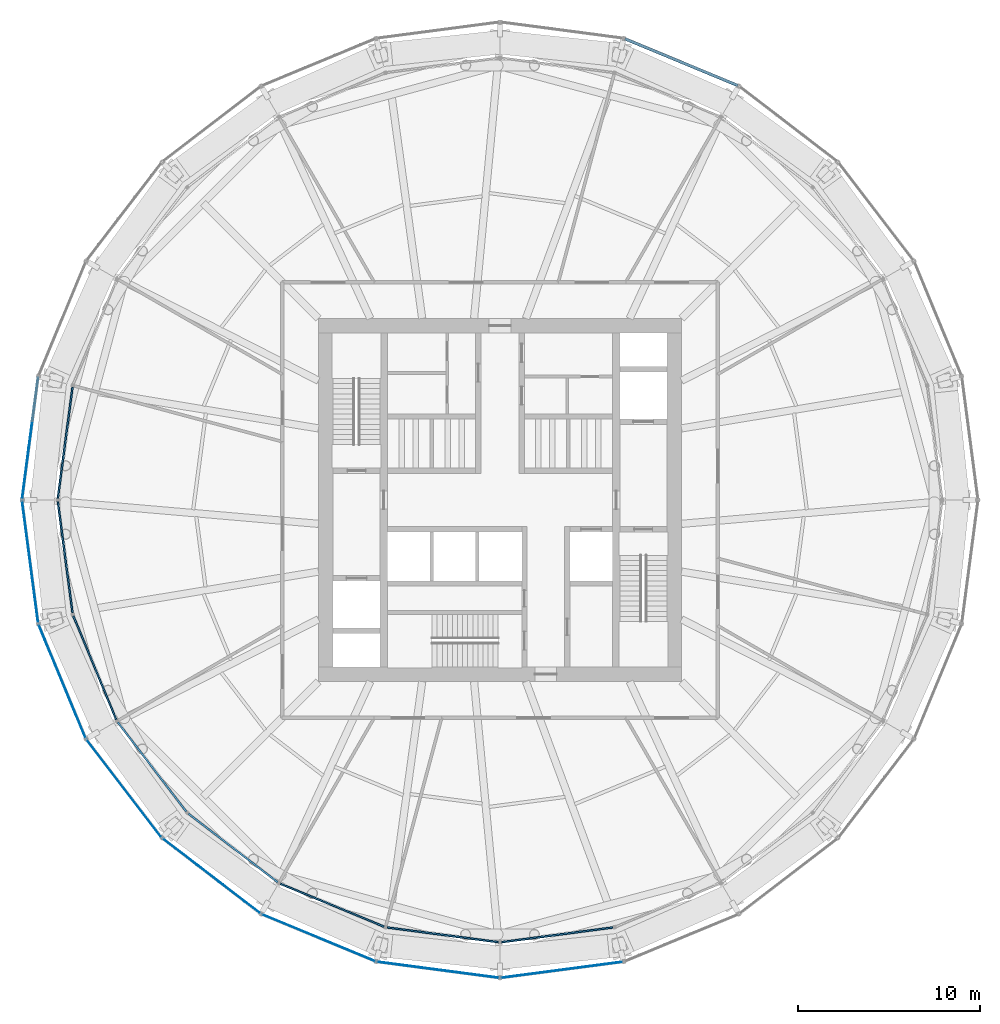
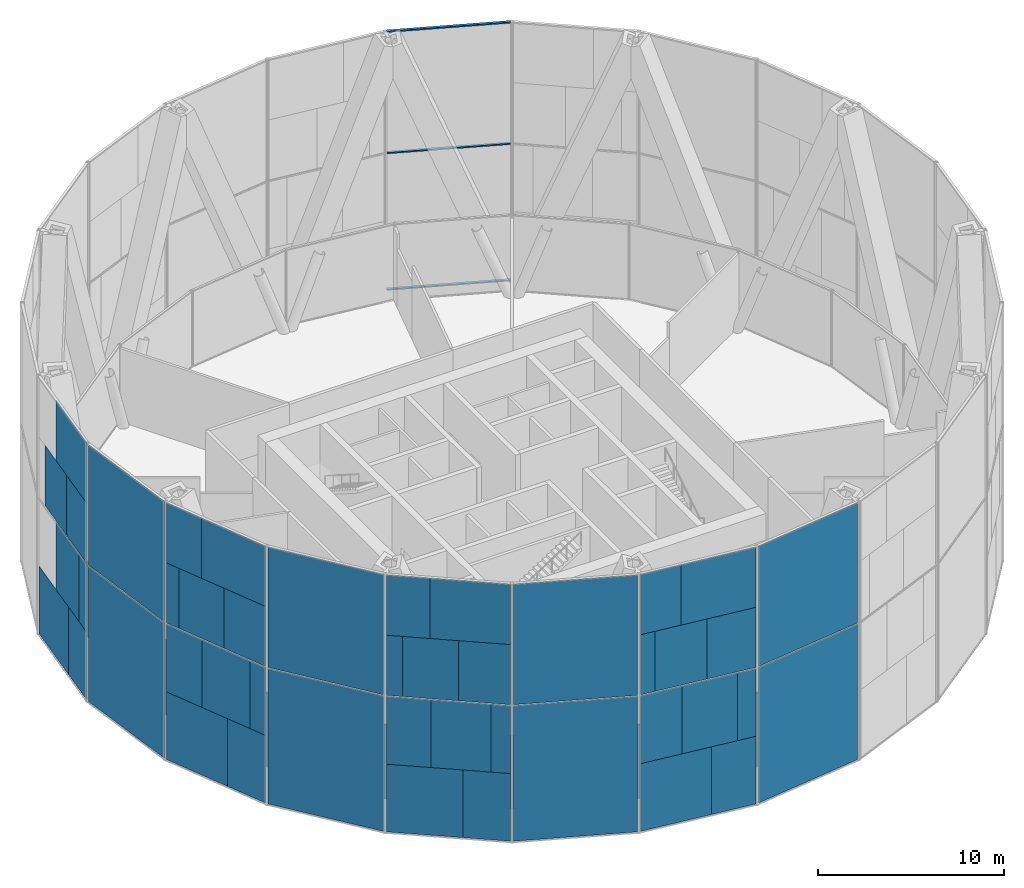
# One storey, part 9 of 16: 53 plates, 3 members, 17 elements without a shape of their own.
"""IFC4 building model written with IfcOpenShell, lengths in metres."""

import ifcopenshell
import ifcopenshell.guid

model = None  # the IFC model being written
_history = None  # IfcOwnerHistory: only IFC2X3 demands one
_inside = {}  # id of a spatial element -> (the spatial element, [elements in it])
_under = {}  # id of a project, library or spatial element -> (it, [spatial elements below it])
_declared = {}  # id of a project -> (the project, [libraries it declares])
_typed = {}  # id of a type object -> (the type object, [elements of that type])
_made_of = {}  # id of a material, layer set ... -> (it, [elements and type objects made of it])


def new_model(schema):
    """Start an empty IFC model of exactly this schema.

    Asked for "IFC4X3", IfcOpenShell would pick the latest addendum, in which some entities
    have other attributes; the version numbers below select the first issue.
    IFC2X3 requires an IfcOwnerHistory on every rooted entity: one is made here for all.
    """
    global model, _history
    if schema == "IFC4X3":
        model = ifcopenshell.file(schema_version=(4, 3, 0, 0))
    else:
        model = ifcopenshell.file(schema=schema)
    _inside.clear()
    _under.clear()
    _declared.clear()
    _typed.clear()
    _made_of.clear()
    _history = None
    if model.schema == "IFC2X3":
        org = make("IfcOrganization", Name="unknown")
        user = make(
            "IfcPersonAndOrganization",
            ThePerson=make("IfcPerson", FamilyName="unknown"),
            TheOrganization=org,
        )
        app = make(
            "IfcApplication",
            ApplicationDeveloper=org,
            Version="unknown",
            ApplicationFullName="unknown",
            ApplicationIdentifier="unknown",
        )
        _history = make(
            "IfcOwnerHistory",
            OwningUser=user,
            OwningApplication=app,
            ChangeAction="ADDED",
            CreationDate=0,
        )
    return model


def make(cls, **values):
    """One entity of the class cls with the attributes given. An attribute that is None is left unset."""
    return model.create_entity(
        cls, **{name: value for name, value in values.items() if value is not None}
    )


def rooted(cls, **values):
    """An entity with a GlobalId (a new one), such as an element, a storey or a relation."""
    return make(cls, GlobalId=ifcopenshell.guid.new(), OwnerHistory=_history, **values)


def si_unit(unit_type, name, prefix=None):
    """IfcSIUnit, for example si_unit("LENGTHUNIT", "METRE", prefix="MILLI")."""
    return make("IfcSIUnit", UnitType=unit_type, Prefix=prefix, Name=name)


def assignment(units):
    """IfcUnitAssignment: the units of a project."""
    return None if units is None else make("IfcUnitAssignment", Units=units)


def point(xyz):
    """IfcCartesianPoint."""
    return None if xyz is None else make("IfcCartesianPoint", Coordinates=xyz)


def direction(xyz):
    """IfcDirection."""
    return None if xyz is None else make("IfcDirection", DirectionRatios=xyz)


def frame(location, z_axis=None, x_axis=None):
    """IfcAxis2Placement3D, a coordinate frame: its origin and axes. An axis left out is left unset."""
    return make(
        "IfcAxis2Placement3D",
        Location=point(location),
        Axis=direction(z_axis),
        RefDirection=direction(x_axis),
    )


def frame_2d(location, x_axis=None):
    """IfcAxis2Placement2D, a coordinate frame in the plane: its origin and x axis."""
    return make(
        "IfcAxis2Placement2D", Location=point(location), RefDirection=direction(x_axis)
    )


def origin():
    """The frame at (0, 0, 0) with its axes left unset."""
    return frame((0.0, 0.0, 0.0))


def origin_2d():
    """The frame at (0, 0) in the plane with its x axis left unset."""
    return frame_2d((0.0, 0.0))


def place(relative_to, where):
    """IfcLocalPlacement: puts the frame where relative to a parent placement (None: the world)."""
    return make(
        "IfcLocalPlacement", PlacementRelTo=relative_to, RelativePlacement=where
    )


def context(
    kind, dimensions, precision=None, world=None, true_north=None, identifier=None
):
    """IfcGeometricRepresentationContext, for example the 3D "Model" context."""
    return make(
        "IfcGeometricRepresentationContext",
        ContextIdentifier=identifier,
        ContextType=kind,
        CoordinateSpaceDimension=dimensions,
        Precision=precision,
        WorldCoordinateSystem=world,
        TrueNorth=true_north,
    )


def subcontext(parent, identifier, kind, view, scale=None):
    """IfcGeometricRepresentationSubContext, for example "Body" below "Model"."""
    return make(
        "IfcGeometricRepresentationSubContext",
        ContextIdentifier=identifier,
        ContextType=kind,
        ParentContext=parent,
        TargetScale=scale,
        TargetView=view,
    )


def project(units=None, contexts=None):
    """IfcProject with its units and contexts."""
    return rooted(
        "IfcProject",
        Name="project",
        RepresentationContexts=contexts,
        UnitsInContext=assignment(units),
    )


def spatial(cls, under=None, at=None, **own):
    """A site, building, storey or space (cls), placed at a placement, below another one or the project."""
    s = rooted(cls, ObjectPlacement=at, **own)
    if under is not None:
        _under.setdefault(under.id(), (under, []))[1].append(s)
    return s


def profile(cls, at=None, kind="AREA", **sizes):
    """A parametric profile (cls). Its sizes go by their IFC names, for example OverallWidth=200.0."""
    return make(cls, ProfileType=kind, Position=at, **sizes)


def rectangle(**sizes):
    """IfcRectangleProfileDef."""
    return profile("IfcRectangleProfileDef", **sizes)


def extrude(swept, where, along, depth):
    """IfcExtrudedAreaSolid: the profile swept, set in the frame where, extruded along a direction by depth."""
    return make(
        "IfcExtrudedAreaSolid",
        SweptArea=swept,
        Position=where,
        ExtrudedDirection=direction(along),
        Depth=depth,
    )


def shape(context_of_items, identifier, shape_type, items):
    """IfcShapeRepresentation: the items that make up one representation, for example the "Body"."""
    return make(
        "IfcShapeRepresentation",
        ContextOfItems=context_of_items,
        RepresentationIdentifier=identifier,
        RepresentationType=shape_type,
        Items=items,
    )


def material(Name=None, Category=None):
    """IfcMaterial."""
    return make("IfcMaterial", Name=Name, Category=Category)


def layer(
    of_material, thickness, ventilated=None, Name=None, Category=None, Priority=None
):
    """IfcMaterialLayer: one layer of a wall or slab, of a material (None: an air gap)."""
    return make(
        "IfcMaterialLayer",
        Material=of_material,
        LayerThickness=thickness,
        IsVentilated=ventilated,
        Name=Name,
        Category=Category,
        Priority=Priority,
    )


def layer_set(layers, Name=None):
    """IfcMaterialLayerSet."""
    return make("IfcMaterialLayerSet", MaterialLayers=layers, LayerSetName=Name)


def material_profile(
    of_material, cross_section, Name=None, Category=None, Priority=None
):
    """IfcMaterialProfile: a cross section and its material."""
    return make(
        "IfcMaterialProfile",
        Name=Name,
        Material=of_material,
        Profile=cross_section,
        Priority=Priority,
        Category=Category,
    )


def profile_set(profiles, Name=None, composite=None):
    """IfcMaterialProfileSet."""
    return make(
        "IfcMaterialProfileSet",
        Name=Name,
        MaterialProfiles=profiles,
        CompositeProfile=composite,
    )


def made_of(thing, what):
    """Note that an element or type object is made of a material, layer set ...; save() writes the relation."""
    if what is not None:
        _made_of.setdefault(what.id(), (what, []))[1].append(thing)
    return thing


def type_object(cls, material=None, **own):
    """A type object (cls), such as IfcWallType, which elements share."""
    return made_of(rooted(cls, **own), material)


def element(
    cls,
    number,
    at=None,
    inside=None,
    cuts=None,
    type_object=None,
    material=None,
    context=None,
    identifier="Body",
    shape_type=None,
    held_by="IfcProductDefinitionShape",
    body=None,
    shapes=None,
    **own,
):
    """One element of the class cls, such as IfcWall. Its Tag is "e" and its number.

    at: its placement. inside: the storey or other place that contains it. cuts: it is an
    opening in that element (IfcRelVoidsElement). A single representation is given by context,
    identifier, shape_type and body (its items); several are given by shapes. held_by: the class
    of the entity that holds the representations. save() writes the other relations.
    """
    e = rooted(cls, Tag="e%d" % number, ObjectPlacement=at, **own)
    if body is not None:
        shapes = [shape(context, identifier, shape_type, body)]
    if shapes is not None:
        e.Representation = make(held_by, Representations=shapes)
    if inside is not None:
        _inside.setdefault(inside.id(), (inside, []))[1].append(e)
    if cuts is not None:
        rooted(
            "IfcRelVoidsElement", RelatingBuildingElement=cuts, RelatedOpeningElement=e
        )
    if type_object is not None:
        _typed.setdefault(type_object.id(), (type_object, []))[1].append(e)
    return made_of(e, material)


def aggregate(whole, parts):
    """IfcRelAggregates: a whole, such as a stair, and the parts it consists of."""
    return rooted("IfcRelAggregates", RelatingObject=whole, RelatedObjects=parts)


def save(model, path):
    """Write the relations noted so far, then the file.

    IfcRelAggregates (storeys below a building ...), IfcRelContainedInSpatialStructure (elements
    in a storey), IfcRelDefinesByType, IfcRelAssociatesMaterial and IfcRelDeclares: one each for
    every whole, place, type object, material and project.
    """
    for whole, parts in _under.values():
        aggregate(whole, parts)
    for where, things in _inside.values():
        rooted(
            "IfcRelContainedInSpatialStructure",
            RelatedElements=things,
            RelatingStructure=where,
        )
    for kind, things in _typed.values():
        rooted("IfcRelDefinesByType", RelatedObjects=things, RelatingType=kind)
    for what, things in _made_of.values():
        rooted("IfcRelAssociatesMaterial", RelatedObjects=things, RelatingMaterial=what)
    for by, libraries in _declared.values():
        rooted("IfcRelDeclares", RelatingContext=by, RelatedDefinitions=libraries)
    model.write(path)


model = new_model("IFC4")

# Units and contexts
model_context = context("Model", 3, precision=1e-05, world=origin(), true_north=direction((0.0, 1.0)))
body_context = subcontext(model_context, "Body", "Model", "MODEL_VIEW")
ifc_project = project(units=[si_unit("LENGTHUNIT", "METRE"), si_unit("AREAUNIT", "SQUARE_METRE"), si_unit("VOLUMEUNIT", "CUBIC_METRE"), si_unit("PLANEANGLEUNIT", "RADIAN"), si_unit("MASSUNIT", "GRAM", prefix="KILO")], contexts=[model_context])

# Site, building, storey
site_placement = place(None, origin())
site = spatial("IfcSite", under=ifc_project, at=site_placement, CompositionType="ELEMENT")
building_placement = place(site_placement, origin())
building = spatial("IfcBuilding", under=site, at=building_placement, Name="Golbaran Civic Tower", CompositionType="ELEMENT")
storey_placement = place(building_placement, frame((0.0, 0.0, 85.0)))
storey = spatial("IfcBuildingStorey", under=building, at=storey_placement, Name="L20", CompositionType="ELEMENT", Elevation=85.0)

# Curtain wall, members
ifc_material_1 = material(Name="Aluminium and glass", Category="aluminium")
curtain_wall_type_1 = type_object("IfcCurtainWallType", Name="OUTER SKIN TERRACOTTA SCREEN", PredefinedType="NOTDEFINED", material=ifc_material_1)
curtain_wall_1_placement = place(storey_placement, origin())
curtain_wall_1 = element("IfcCurtainWall", 1, at=curtain_wall_1_placement, inside=storey, type_object=curtain_wall_type_1, Name="Outer skin L20 facet 5 CW3", ObjectType="OUTER SKIN", PredefinedType="USERDEFINED")
ifc_material_2 = material(Name="Aluminium", Category="aluminium")
ifc_material_profile = material_profile(ifc_material_2, rectangle(XDim=0.159912109375, YDim=0.080078125, at=origin_2d()), Name="OUTER SKIN TERRACOTTA SCREEN TRANSOM")
ifc_profile_set = profile_set([ifc_material_profile], Name="Aluminium")
member_type = type_object("IfcMemberType", Name="OUTER SKIN TERRACOTTA SCREEN TRANSOM", PredefinedType="USERDEFINED", material=ifc_profile_set)
member_1_placement = place(storey_placement, frame((13.091552734375, 22.833984375, -0.669921875), z_axis=(-0.923886086395, 0.382667609507, 0.0), x_axis=(-0.382667609507, -0.923886086395, 0.0)))
member_1 = element("IfcMember", 2, at=member_1_placement, type_object=member_type, Name="CW3 transom 1.1", ObjectType="TRANSOM", PredefinedType="USERDEFINED", context=body_context, shape_type="SweptSolid", body=[
    extrude(rectangle(XDim=0.159912109375, YDim=0.080078125, at=origin_2d()), origin(), (0.0, 0.0, 1.0), 6.713623046875),
])
member_2_placement = place(storey_placement, frame((13.091552734375, 22.833984375, 8.2900390625), z_axis=(-0.923886086395, 0.382667609507, 0.0), x_axis=(-0.382667609507, -0.923886086395, 0.0)))
member_2 = element("IfcMember", 3, at=member_2_placement, type_object=member_type, Name="CW3 transom 1.2", ObjectType="TRANSOM", PredefinedType="USERDEFINED", context=body_context, shape_type="SweptSolid", body=[
    extrude(rectangle(XDim=0.159912109375, YDim=0.080078125, at=origin_2d()), origin(), (0.0, 0.0, 1.0), 6.713623046875),
])
member_3_placement = place(storey_placement, frame((13.091552734375, 22.833984375, 16.25), z_axis=(-0.923886086395, 0.382667609507, 0.0), x_axis=(-0.382667609507, -0.923886086395, 0.0)))
member_3 = element("IfcMember", 4, at=member_3_placement, type_object=member_type, Name="CW3 transom 1.3", ObjectType="TRANSOM", PredefinedType="USERDEFINED", context=body_context, shape_type="SweptSolid", body=[
    extrude(rectangle(XDim=0.159912109375, YDim=0.080078125, at=origin_2d()), origin(), (0.0, 0.0, 1.0), 6.713623046875),
])
aggregate(curtain_wall_1, [member_1, member_2, member_3])

# Curtain wall, plates
curtain_wall_2_placement = place(storey_placement, origin())
curtain_wall_2 = element("IfcCurtainWall", 5, at=curtain_wall_2_placement, inside=storey, type_object=curtain_wall_type_1, Name="Outer skin L20 facet 12 CW3", ObjectType="OUTER SKIN", PredefinedType="USERDEFINED")
ifc_material_3 = material(Name="Clear laminated glass", Category="glass")
ifc_layer_1 = layer(ifc_material_3, 0.0400390625, Name="Clear laminated glass")
ifc_layer_set_1 = layer_set([ifc_layer_1], Name="Clear laminated glass")
plate_type_1 = type_object("IfcPlateType", Name="OUTER SKIN CLEAR GLASS PANEL", PredefinedType="CURTAIN_PANEL", material=ifc_layer_set_1)
plate_1_placement = place(storey_placement, frame((-25.714599609375, 4.681884765625, -0.6298828125), z_axis=(0.0, 0.0, 1.0), x_axis=(-0.13052619222, -0.991444861374, 0.0)))
plate_1 = element("IfcPlate", 6, at=plate_1_placement, type_object=plate_type_1, Name="CW3 panel 1.1 part 1", PredefinedType="CURTAIN_PANEL", context=body_context, shape_type="SweptSolid", body=[
    extrude(rectangle(XDim=4.14306640625, YDim=0.0400390625, at=origin_2d()), origin(), (0.0, 0.0, 1.0), 4.43994140625),
])
plate_2_placement = place(storey_placement, frame((-26.2509765625, 0.608642578125, 3.81005859375), z_axis=(0.0, 0.0, 1.0), x_axis=(-0.13052619222, -0.991444861374, 0.0)))
plate_2 = element("IfcPlate", 7, at=plate_2_placement, type_object=plate_type_1, Name="CW3 panel 1.1 part 5", PredefinedType="CURTAIN_PANEL", context=body_context, shape_type="SweptSolid", body=[
    extrude(rectangle(XDim=1.06787109375, YDim=0.0400390625, at=origin_2d()), origin(), (0.0, 0.0, 1.0), 4.43994140625),
])
plate_3_placement = place(storey_placement, frame((-26.13623046875, 1.47900390625, 8.330078125), z_axis=(0.0, 0.0, 1.0), x_axis=(-0.13052619222, -0.991444861374, 0.0)))
plate_3 = element("IfcPlate", 8, at=plate_3_placement, type_object=plate_type_1, Name="CW3 panel 1.2 part 3", PredefinedType="CURTAIN_PANEL", context=body_context, shape_type="SweptSolid", body=[
    extrude(rectangle(XDim=2.82373046875, YDim=0.0400390625, at=origin_2d()), origin(), (0.0, 0.0, 1.0), 3.93994140625),
])
plate_4_placement = place(storey_placement, frame((-26.036376953125, 2.237548828125, 12.27001953125), z_axis=(0.0, 0.0, 1.0), x_axis=(-0.13052619222, -0.991444861374, 0.0)))
plate_4 = element("IfcPlate", 9, at=plate_4_placement, type_object=plate_type_1, Name="CW3 panel 1.2 part 5", PredefinedType="CURTAIN_PANEL", context=body_context, shape_type="SweptSolid", body=[
    extrude(rectangle(XDim=4.353759765625, YDim=0.0400390625, at=origin_2d()), origin(), (0.0, 0.0, 1.0), 3.93994140625),
])

curtain_wall_3_placement = place(storey_placement, origin())
curtain_wall_3 = element("IfcCurtainWall", 10, at=curtain_wall_3_placement, inside=storey, type_object=curtain_wall_type_1, Name="Outer skin L20 facet 14 CW3", ObjectType="OUTER SKIN", PredefinedType="USERDEFINED")
plate_5_placement = place(storey_placement, frame((-24.6103515625, -8.802734375, -0.6298828125), z_axis=(0.0, 0.0, 1.0), x_axis=(0.382683432397, -0.923879532498, 0.0)))
plate_5 = element("IfcPlate", 11, at=plate_5_placement, type_object=plate_type_1, Name="CW3 panel 1.1 part 1", PredefinedType="CURTAIN_PANEL", context=body_context, shape_type="SweptSolid", body=[
    extrude(rectangle(XDim=4.14306640625, YDim=0.0400390625, at=origin_2d()), origin(), (0.0, 0.0, 1.0), 4.43994140625),
])
plate_6_placement = place(storey_placement, frame((-24.940673828125, -8.00537109375, 3.81005859375), z_axis=(0.0, 0.0, 1.0), x_axis=(0.382683432397, -0.923879532498, 0.0)))
plate_6 = element("IfcPlate", 12, at=plate_6_placement, type_object=plate_type_1, Name="CW3 panel 1.1 part 3", PredefinedType="CURTAIN_PANEL", context=body_context, shape_type="SweptSolid", body=[
    extrude(rectangle(XDim=2.4169921875, YDim=0.0400390625, at=origin_2d()), origin(), (0.0, 0.0, 1.0), 4.43994140625),
])
plate_7_placement = place(storey_placement, frame((-23.038330078125, -12.598388671875, 3.81005859375), z_axis=(0.0, 0.0, 1.0), x_axis=(0.382683432397, -0.923879532498, 0.0)))
plate_7 = element("IfcPlate", 13, at=plate_7_placement, type_object=plate_type_1, Name="CW3 panel 1.1 part 5", PredefinedType="CURTAIN_PANEL", context=body_context, shape_type="SweptSolid", body=[
    extrude(rectangle(XDim=1.06787109375, YDim=0.0400390625, at=origin_2d()), origin(), (0.0, 0.0, 1.0), 4.43994140625),
])
plate_8_placement = place(storey_placement, frame((-25.23974609375, -7.283447265625, 8.330078125), z_axis=(0.0, 0.0, 1.0), x_axis=(0.382683432397, -0.923879532498, 0.0)))
plate_8 = element("IfcPlate", 14, at=plate_8_placement, type_object=plate_type_1, Name="CW3 panel 1.2 part 1", PredefinedType="CURTAIN_PANEL", context=body_context, shape_type="SweptSolid", body=[
    extrude(rectangle(XDim=0.85400390625, YDim=0.0400390625, at=origin_2d()), origin(), (0.0, 0.0, 1.0), 3.93994140625),
])
plate_9_placement = place(storey_placement, frame((-23.374267578125, -11.787109375, 8.330078125), z_axis=(0.0, 0.0, 1.0), x_axis=(0.382683432397, -0.923879532498, 0.0)))
plate_9 = element("IfcPlate", 15, at=plate_9_placement, type_object=plate_type_1, Name="CW3 panel 1.2 part 3", PredefinedType="CURTAIN_PANEL", context=body_context, shape_type="SweptSolid", body=[
    extrude(rectangle(XDim=2.82373046875, YDim=0.0400390625, at=origin_2d()), origin(), (0.0, 0.0, 1.0), 3.93994140625),
])
plate_10_placement = place(storey_placement, frame((-23.6669921875, -11.080322265625, 12.27001953125), z_axis=(0.0, 0.0, 1.0), x_axis=(0.382683432397, -0.923879532498, 0.0)))
plate_10 = element("IfcPlate", 16, at=plate_10_placement, type_object=plate_type_1, Name="CW3 panel 1.2 part 5", PredefinedType="CURTAIN_PANEL", context=body_context, shape_type="SweptSolid", body=[
    extrude(rectangle(XDim=4.353759765625, YDim=0.0400390625, at=origin_2d()), origin(), (0.0, 0.0, 1.0), 3.93994140625),
])

curtain_wall_4_placement = place(storey_placement, origin())
curtain_wall_4 = element("IfcCurtainWall", 17, at=curtain_wall_4_placement, inside=storey, type_object=curtain_wall_type_1, Name="Outer skin L20 facet 16 CW3", ObjectType="OUTER SKIN", PredefinedType="USERDEFINED")
plate_11_placement = place(storey_placement, frame((-16.911865234375, -19.928466796875, -0.6298828125), z_axis=(0.0, 0.0, 1.0), x_axis=(0.793353340238, -0.608761429078, 0.0)))
plate_11 = element("IfcPlate", 18, at=plate_11_placement, type_object=plate_type_1, Name="CW3 panel 1.1 part 1", PredefinedType="CURTAIN_PANEL", context=body_context, shape_type="SweptSolid", body=[
    extrude(rectangle(XDim=4.14306640625, YDim=0.0400390625, at=origin_2d()), origin(), (0.0, 0.0, 1.0), 4.43994140625),
])
plate_12_placement = place(storey_placement, frame((-17.5966796875, -19.4033203125, 3.81005859375), z_axis=(0.0, 0.0, 1.0), x_axis=(0.793353340238, -0.608761429078, 0.0)))
plate_12 = element("IfcPlate", 19, at=plate_12_placement, type_object=plate_type_1, Name="CW3 panel 1.1 part 3", PredefinedType="CURTAIN_PANEL", context=body_context, shape_type="SweptSolid", body=[
    extrude(rectangle(XDim=2.4169921875, YDim=0.0400390625, at=origin_2d()), origin(), (0.0, 0.0, 1.0), 4.43994140625),
])
plate_13_placement = place(storey_placement, frame((-13.652587890625, -22.4296875, 3.81005859375), z_axis=(0.0, 0.0, 1.0), x_axis=(0.793353340238, -0.608761429078, 0.0)))
plate_13 = element("IfcPlate", 20, at=plate_13_placement, type_object=plate_type_1, Name="CW3 panel 1.1 part 5", PredefinedType="CURTAIN_PANEL", context=body_context, shape_type="SweptSolid", body=[
    extrude(rectangle(XDim=1.06787109375, YDim=0.0400390625, at=origin_2d()), origin(), (0.0, 0.0, 1.0), 4.43994140625),
])
plate_14_placement = place(storey_placement, frame((-18.216552734375, -18.927490234375, 8.330078125), z_axis=(0.0, 0.0, 1.0), x_axis=(0.793353340238, -0.608761429078, 0.0)))
plate_14 = element("IfcPlate", 21, at=plate_14_placement, type_object=plate_type_1, Name="CW3 panel 1.2 part 1", PredefinedType="CURTAIN_PANEL", context=body_context, shape_type="SweptSolid", body=[
    extrude(rectangle(XDim=0.85400390625, YDim=0.0400390625, at=origin_2d()), origin(), (0.0, 0.0, 1.0), 3.93994140625),
])
plate_15_placement = place(storey_placement, frame((-14.34912109375, -21.89501953125, 8.330078125), z_axis=(0.0, 0.0, 1.0), x_axis=(0.793353340238, -0.608761429078, 0.0)))
plate_15 = element("IfcPlate", 22, at=plate_15_placement, type_object=plate_type_1, Name="CW3 panel 1.2 part 3", PredefinedType="CURTAIN_PANEL", context=body_context, shape_type="SweptSolid", body=[
    extrude(rectangle(XDim=2.82373046875, YDim=0.0400390625, at=origin_2d()), origin(), (0.0, 0.0, 1.0), 3.93994140625),
])
plate_16_placement = place(storey_placement, frame((-14.9560546875, -21.429443359375, 12.27001953125), z_axis=(0.0, 0.0, 1.0), x_axis=(0.793353340238, -0.608761429078, 0.0)))
plate_16 = element("IfcPlate", 23, at=plate_16_placement, type_object=plate_type_1, Name="CW3 panel 1.2 part 5", PredefinedType="CURTAIN_PANEL", context=body_context, shape_type="SweptSolid", body=[
    extrude(rectangle(XDim=4.353759765625, YDim=0.0400390625, at=origin_2d()), origin(), (0.0, 0.0, 1.0), 3.93994140625),
])

curtain_wall_5_placement = place(storey_placement, origin())
curtain_wall_5 = element("IfcCurtainWall", 24, at=curtain_wall_5_placement, inside=storey, type_object=curtain_wall_type_1, Name="Outer skin L20 facet 18 CW3", ObjectType="OUTER SKIN", PredefinedType="USERDEFINED")
plate_17_placement = place(storey_placement, frame((-4.681884765625, -25.714599609375, -0.6298828125), z_axis=(0.0, 0.0, 1.0), x_axis=(0.991444861374, -0.13052619222, 0.0)))
plate_17 = element("IfcPlate", 25, at=plate_17_placement, type_object=plate_type_1, Name="CW3 panel 1.1 part 1", PredefinedType="CURTAIN_PANEL", context=body_context, shape_type="SweptSolid", body=[
    extrude(rectangle(XDim=4.14306640625, YDim=0.0400390625, at=origin_2d()), origin(), (0.0, 0.0, 1.0), 4.43994140625),
])
plate_18_placement = place(storey_placement, frame((-5.53759765625, -25.60205078125, 3.81005859375), z_axis=(0.0, 0.0, 1.0), x_axis=(0.991444861374, -0.13052619222, 0.0)))
plate_18 = element("IfcPlate", 26, at=plate_18_placement, type_object=plate_type_1, Name="CW3 panel 1.1 part 3", PredefinedType="CURTAIN_PANEL", context=body_context, shape_type="SweptSolid", body=[
    extrude(rectangle(XDim=2.4169921875, YDim=0.0400390625, at=origin_2d()), origin(), (0.0, 0.0, 1.0), 4.43994140625),
])
plate_19_placement = place(storey_placement, frame((-0.608642578125, -26.2509765625, 3.81005859375), z_axis=(0.0, 0.0, 1.0), x_axis=(0.991444861374, -0.13052619222, 0.0)))
plate_19 = element("IfcPlate", 27, at=plate_19_placement, type_object=plate_type_1, Name="CW3 panel 1.1 part 5", PredefinedType="CURTAIN_PANEL", context=body_context, shape_type="SweptSolid", body=[
    extrude(rectangle(XDim=1.06787109375, YDim=0.0400390625, at=origin_2d()), origin(), (0.0, 0.0, 1.0), 4.43994140625),
])
plate_20_placement = place(storey_placement, frame((-6.312255859375, -25.5, 8.330078125), z_axis=(0.0, 0.0, 1.0), x_axis=(0.991444861374, -0.13052619222, 0.0)))
plate_20 = element("IfcPlate", 28, at=plate_20_placement, type_object=plate_type_1, Name="CW3 panel 1.2 part 1", PredefinedType="CURTAIN_PANEL", context=body_context, shape_type="SweptSolid", body=[
    extrude(rectangle(XDim=0.85400390625, YDim=0.0400390625, at=origin_2d()), origin(), (0.0, 0.0, 1.0), 3.93994140625),
])
plate_21_placement = place(storey_placement, frame((-1.47900390625, -26.13623046875, 8.330078125), z_axis=(0.0, 0.0, 1.0), x_axis=(0.991444861374, -0.13052619222, 0.0)))
plate_21 = element("IfcPlate", 29, at=plate_21_placement, type_object=plate_type_1, Name="CW3 panel 1.2 part 3", PredefinedType="CURTAIN_PANEL", context=body_context, shape_type="SweptSolid", body=[
    extrude(rectangle(XDim=2.82373046875, YDim=0.0400390625, at=origin_2d()), origin(), (0.0, 0.0, 1.0), 3.93994140625),
])
plate_22_placement = place(storey_placement, frame((-2.237548828125, -26.036376953125, 12.27001953125), z_axis=(0.0, 0.0, 1.0), x_axis=(0.991444861374, -0.13052619222, 0.0)))
plate_22 = element("IfcPlate", 30, at=plate_22_placement, type_object=plate_type_1, Name="CW3 panel 1.2 part 5", PredefinedType="CURTAIN_PANEL", context=body_context, shape_type="SweptSolid", body=[
    extrude(rectangle(XDim=4.353759765625, YDim=0.0400390625, at=origin_2d()), origin(), (0.0, 0.0, 1.0), 3.93994140625),
])

# Plate
ifc_material_4 = material(Name="Terracotta baguette screen", Category="masonry")
ifc_layer_2 = layer(ifc_material_4, 0.0400390625, Name="Terracotta baguette screen")
ifc_layer_set_2 = layer_set([ifc_layer_2], Name="Terracotta baguette screen")
plate_type_2 = type_object("IfcPlateType", Name="OUTER SKIN TERRACOTTA INFILL PANEL", PredefinedType="CURTAIN_PANEL", material=ifc_layer_set_2)
plate_23_placement = place(storey_placement, frame((-26.15283203125, 1.353759765625, -0.6298828125), z_axis=(0.0, 0.0, 1.0), x_axis=(-0.13052619222, -0.991444861374, 0.0)))
plate_23 = element("IfcPlate", 31, at=plate_23_placement, type_object=plate_type_2, Name="CW3 infill panel 1.1 part 2", PredefinedType="CURTAIN_PANEL", context=body_context, shape_type="SweptSolid", body=[
    extrude(rectangle(XDim=2.57080078125, YDim=0.0400390625, at=origin_2d()), origin(), (0.0, 0.0, 1.0), 4.43994140625),
])

plate_24_placement = place(storey_placement, frame((-25.970458984375, 2.738525390625, 3.81005859375), z_axis=(0.0, 0.0, 1.0), x_axis=(-0.13052619222, -0.991444861374, 0.0)))
plate_24 = element("IfcPlate", 32, at=plate_24_placement, type_object=plate_type_2, Name="CW3 infill panel 1.1 part 4", PredefinedType="CURTAIN_PANEL", context=body_context, shape_type="SweptSolid", body=[
    extrude(rectangle(XDim=3.22900390625, YDim=0.0400390625, at=origin_2d()), origin(), (0.0, 0.0, 1.0), 4.43994140625),
])

plate_25_placement = place(storey_placement, frame((-25.75390625, 4.384033203125, 8.330078125), z_axis=(0.0, 0.0, 1.0), x_axis=(-0.13052619222, -0.991444861374, 0.0)))
plate_25 = element("IfcPlate", 33, at=plate_25_placement, type_object=plate_type_2, Name="CW3 infill panel 1.2 part 2", PredefinedType="CURTAIN_PANEL", context=body_context, shape_type="SweptSolid", body=[
    extrude(rectangle(XDim=3.035888671875, YDim=0.0400390625, at=origin_2d()), origin(), (0.0, 0.0, 1.0), 3.93994140625),
])

aggregate(curtain_wall_2, [plate_1, plate_23, plate_24, plate_2, plate_25, plate_3, plate_4])

plate_26_placement = place(storey_placement, frame((-23.325927734375, -11.904052734375, -0.6298828125), z_axis=(0.0, 0.0, 1.0), x_axis=(0.382683432397, -0.923879532498, 0.0)))
plate_26 = element("IfcPlate", 34, at=plate_26_placement, type_object=plate_type_2, Name="CW3 infill panel 1.1 part 2", PredefinedType="CURTAIN_PANEL", context=body_context, shape_type="SweptSolid", body=[
    extrude(rectangle(XDim=2.57080078125, YDim=0.0400390625, at=origin_2d()), origin(), (0.0, 0.0, 1.0), 4.43994140625),
])

plate_27_placement = place(storey_placement, frame((-23.8603515625, -10.613525390625, 3.81005859375), z_axis=(0.0, 0.0, 1.0), x_axis=(0.382683432397, -0.923879532498, 0.0)))
plate_27 = element("IfcPlate", 35, at=plate_27_placement, type_object=plate_type_2, Name="CW3 infill panel 1.1 part 4", PredefinedType="CURTAIN_PANEL", context=body_context, shape_type="SweptSolid", body=[
    extrude(rectangle(XDim=3.22900390625, YDim=0.0400390625, at=origin_2d()), origin(), (0.0, 0.0, 1.0), 4.43994140625),
])

plate_28_placement = place(storey_placement, frame((-24.495361328125, -9.080322265625, 8.330078125), z_axis=(0.0, 0.0, 1.0), x_axis=(0.382683432397, -0.923879532498, 0.0)))
plate_28 = element("IfcPlate", 36, at=plate_28_placement, type_object=plate_type_2, Name="CW3 infill panel 1.2 part 2", PredefinedType="CURTAIN_PANEL", context=body_context, shape_type="SweptSolid", body=[
    extrude(rectangle(XDim=3.035888671875, YDim=0.0400390625, at=origin_2d()), origin(), (0.0, 0.0, 1.0), 3.93994140625),
])

plate_29_placement = place(storey_placement, frame((-24.95166015625, -7.97900390625, 12.27001953125), z_axis=(0.0, 0.0, 1.0), x_axis=(0.382683432397, -0.923879532498, 0.0)))
plate_29 = element("IfcPlate", 37, at=plate_29_placement, type_object=plate_type_2, Name="CW3 infill panel 1.2 part 4", PredefinedType="CURTAIN_PANEL", context=body_context, shape_type="SweptSolid", body=[
    extrude(rectangle(XDim=2.360107421875, YDim=0.0400390625, at=origin_2d()), origin(), (0.0, 0.0, 1.0), 3.93994140625),
])

aggregate(curtain_wall_3, [plate_5, plate_26, plate_6, plate_27, plate_7, plate_8, plate_28, plate_9, plate_29, plate_10])

plate_30_placement = place(storey_placement, frame((-14.248779296875, -21.97216796875, -0.6298828125), z_axis=(0.0, 0.0, 1.0), x_axis=(0.793353340238, -0.608761429078, 0.0)))
plate_30 = element("IfcPlate", 38, at=plate_30_placement, type_object=plate_type_2, Name="CW3 infill panel 1.1 part 2", PredefinedType="CURTAIN_PANEL", context=body_context, shape_type="SweptSolid", body=[
    extrude(rectangle(XDim=2.57080078125, YDim=0.0400390625, at=origin_2d()), origin(), (0.0, 0.0, 1.0), 4.43994140625),
])

plate_31_placement = place(storey_placement, frame((-15.35693359375, -21.121826171875, 3.81005859375), z_axis=(0.0, 0.0, 1.0), x_axis=(0.793353340238, -0.608761429078, 0.0)))
plate_31 = element("IfcPlate", 39, at=plate_31_placement, type_object=plate_type_2, Name="CW3 infill panel 1.1 part 4", PredefinedType="CURTAIN_PANEL", context=body_context, shape_type="SweptSolid", body=[
    extrude(rectangle(XDim=3.22900390625, YDim=0.0400390625, at=origin_2d()), origin(), (0.0, 0.0, 1.0), 4.43994140625),
])

plate_32_placement = place(storey_placement, frame((-16.673583984375, -20.111572265625, 8.330078125), z_axis=(0.0, 0.0, 1.0), x_axis=(0.793353340238, -0.608761429078, 0.0)))
plate_32 = element("IfcPlate", 40, at=plate_32_placement, type_object=plate_type_2, Name="CW3 infill panel 1.2 part 2", PredefinedType="CURTAIN_PANEL", context=body_context, shape_type="SweptSolid", body=[
    extrude(rectangle(XDim=3.035888671875, YDim=0.0400390625, at=origin_2d()), origin(), (0.0, 0.0, 1.0), 3.93994140625),
])

plate_33_placement = place(storey_placement, frame((-17.619140625, -19.385986328125, 12.27001953125), z_axis=(0.0, 0.0, 1.0), x_axis=(0.793353340238, -0.608761429078, 0.0)))
plate_33 = element("IfcPlate", 41, at=plate_33_placement, type_object=plate_type_2, Name="CW3 infill panel 1.2 part 4", PredefinedType="CURTAIN_PANEL", context=body_context, shape_type="SweptSolid", body=[
    extrude(rectangle(XDim=2.360107421875, YDim=0.0400390625, at=origin_2d()), origin(), (0.0, 0.0, 1.0), 3.93994140625),
])

aggregate(curtain_wall_4, [plate_11, plate_30, plate_12, plate_31, plate_13, plate_14, plate_32, plate_15, plate_33, plate_16])

plate_34_placement = place(storey_placement, frame((-1.353759765625, -26.15283203125, -0.6298828125), z_axis=(0.0, 0.0, 1.0), x_axis=(0.991444861374, -0.13052619222, 0.0)))
plate_34 = element("IfcPlate", 42, at=plate_34_placement, type_object=plate_type_2, Name="CW3 infill panel 1.1 part 2", PredefinedType="CURTAIN_PANEL", context=body_context, shape_type="SweptSolid", body=[
    extrude(rectangle(XDim=2.57080078125, YDim=0.0400390625, at=origin_2d()), origin(), (0.0, 0.0, 1.0), 4.43994140625),
])

plate_35_placement = place(storey_placement, frame((-2.738525390625, -25.970458984375, 3.81005859375), z_axis=(0.0, 0.0, 1.0), x_axis=(0.991444861374, -0.13052619222, 0.0)))
plate_35 = element("IfcPlate", 43, at=plate_35_placement, type_object=plate_type_2, Name="CW3 infill panel 1.1 part 4", PredefinedType="CURTAIN_PANEL", context=body_context, shape_type="SweptSolid", body=[
    extrude(rectangle(XDim=3.22900390625, YDim=0.0400390625, at=origin_2d()), origin(), (0.0, 0.0, 1.0), 4.43994140625),
])

plate_36_placement = place(storey_placement, frame((-4.384033203125, -25.75390625, 8.330078125), z_axis=(0.0, 0.0, 1.0), x_axis=(0.991444861374, -0.13052619222, 0.0)))
plate_36 = element("IfcPlate", 44, at=plate_36_placement, type_object=plate_type_2, Name="CW3 infill panel 1.2 part 2", PredefinedType="CURTAIN_PANEL", context=body_context, shape_type="SweptSolid", body=[
    extrude(rectangle(XDim=3.035888671875, YDim=0.0400390625, at=origin_2d()), origin(), (0.0, 0.0, 1.0), 3.93994140625),
])

plate_37_placement = place(storey_placement, frame((-5.565673828125, -25.59814453125, 12.27001953125), z_axis=(0.0, 0.0, 1.0), x_axis=(0.991444861374, -0.13052619222, 0.0)))
plate_37 = element("IfcPlate", 45, at=plate_37_placement, type_object=plate_type_2, Name="CW3 infill panel 1.2 part 4", PredefinedType="CURTAIN_PANEL", context=body_context, shape_type="SweptSolid", body=[
    extrude(rectangle(XDim=2.360107421875, YDim=0.0400390625, at=origin_2d()), origin(), (0.0, 0.0, 1.0), 3.93994140625),
])

aggregate(curtain_wall_5, [plate_17, plate_34, plate_18, plate_35, plate_19, plate_20, plate_36, plate_21, plate_37, plate_22])

# Curtain wall, plates
curtain_wall_6_placement = place(storey_placement, origin())
curtain_wall_6 = element("IfcCurtainWall", 46, at=curtain_wall_6_placement, inside=storey, type_object=curtain_wall_type_1, Name="Outer skin L20 facet 13 CW3", ObjectType="OUTER SKIN", PredefinedType="USERDEFINED")
ifc_layer_3 = layer(ifc_material_4, 0.0400390625, Name="Terracotta baguette screen")
ifc_layer_set_3 = layer_set([ifc_layer_3], Name="Terracotta baguette screen")
plate_type_3 = type_object("IfcPlateType", Name="OUTER SKIN TERRACOTTA SCREEN PANEL", PredefinedType="CURTAIN_PANEL", material=ifc_layer_set_3)
plate_38_placement = place(storey_placement, frame((-25.88232421875, -3.407470703125, -0.6298828125), z_axis=(0.0, 0.0, 1.0), x_axis=(0.13052619222, -0.991444861374, 0.0)))
plate_38 = element("IfcPlate", 47, at=plate_38_placement, type_object=plate_type_3, Name="CW3 terracotta screen panel 1.1", PredefinedType="CURTAIN_PANEL", context=body_context, shape_type="SweptSolid", body=[
    extrude(rectangle(XDim=6.7138671875, YDim=0.0400390625, at=origin_2d()), origin(), (0.0, 0.0, 1.0), 8.8798828125),
])
plate_39_placement = place(storey_placement, frame((-25.88232421875, -3.407470703125, 8.330078125), z_axis=(0.0, 0.0, 1.0), x_axis=(0.13052619222, -0.991444861374, 0.0)))
plate_39 = element("IfcPlate", 48, at=plate_39_placement, type_object=plate_type_3, Name="CW3 terracotta screen panel 1.2", PredefinedType="CURTAIN_PANEL", context=body_context, shape_type="SweptSolid", body=[
    extrude(rectangle(XDim=6.7138671875, YDim=0.0400390625, at=origin_2d()), origin(), (0.0, 0.0, 1.0), 7.8798828125),
])
aggregate(curtain_wall_6, [plate_38, plate_39])

curtain_wall_7_placement = place(storey_placement, origin())
curtain_wall_7 = element("IfcCurtainWall", 49, at=curtain_wall_7_placement, inside=storey, type_object=curtain_wall_type_1, Name="Outer skin L20 facet 15 CW3", ObjectType="OUTER SKIN", PredefinedType="USERDEFINED")
plate_40_placement = place(storey_placement, frame((-20.711181640625, -15.89208984375, -0.6298828125), z_axis=(0.0, 0.0, 1.0), x_axis=(0.608761429078, -0.793353340238, 0.0)))
plate_40 = element("IfcPlate", 50, at=plate_40_placement, type_object=plate_type_3, Name="CW3 terracotta screen panel 1.1", PredefinedType="CURTAIN_PANEL", context=body_context, shape_type="SweptSolid", body=[
    extrude(rectangle(XDim=6.7138671875, YDim=0.0400390625, at=origin_2d()), origin(), (0.0, 0.0, 1.0), 8.8798828125),
])
plate_41_placement = place(storey_placement, frame((-20.711181640625, -15.89208984375, 8.330078125), z_axis=(0.0, 0.0, 1.0), x_axis=(0.608761429078, -0.793353340238, 0.0)))
plate_41 = element("IfcPlate", 51, at=plate_41_placement, type_object=plate_type_3, Name="CW3 terracotta screen panel 1.2", PredefinedType="CURTAIN_PANEL", context=body_context, shape_type="SweptSolid", body=[
    extrude(rectangle(XDim=6.7138671875, YDim=0.0400390625, at=origin_2d()), origin(), (0.0, 0.0, 1.0), 7.8798828125),
])
aggregate(curtain_wall_7, [plate_40, plate_41])

curtain_wall_8_placement = place(storey_placement, origin())
curtain_wall_8 = element("IfcCurtainWall", 52, at=curtain_wall_8_placement, inside=storey, type_object=curtain_wall_type_1, Name="Outer skin L20 facet 17 CW3", ObjectType="OUTER SKIN", PredefinedType="USERDEFINED")
plate_42_placement = place(storey_placement, frame((-9.990234375, -24.11865234375, -0.6298828125), z_axis=(0.0, 0.0, 1.0), x_axis=(0.923879532498, -0.382683432397, 0.0)))
plate_42 = element("IfcPlate", 53, at=plate_42_placement, type_object=plate_type_3, Name="CW3 terracotta screen panel 1.1", PredefinedType="CURTAIN_PANEL", context=body_context, shape_type="SweptSolid", body=[
    extrude(rectangle(XDim=6.7138671875, YDim=0.0400390625, at=origin_2d()), origin(), (0.0, 0.0, 1.0), 8.8798828125),
])
plate_43_placement = place(storey_placement, frame((-9.990234375, -24.11865234375, 8.330078125), z_axis=(0.0, 0.0, 1.0), x_axis=(0.923879532498, -0.382683432397, 0.0)))
plate_43 = element("IfcPlate", 54, at=plate_43_placement, type_object=plate_type_3, Name="CW3 terracotta screen panel 1.2", PredefinedType="CURTAIN_PANEL", context=body_context, shape_type="SweptSolid", body=[
    extrude(rectangle(XDim=6.7138671875, YDim=0.0400390625, at=origin_2d()), origin(), (0.0, 0.0, 1.0), 7.8798828125),
])
aggregate(curtain_wall_8, [plate_42, plate_43])

curtain_wall_9_placement = place(storey_placement, origin())
curtain_wall_9 = element("IfcCurtainWall", 55, at=curtain_wall_9_placement, inside=storey, type_object=curtain_wall_type_1, Name="Outer skin L20 facet 19 CW3", ObjectType="OUTER SKIN", PredefinedType="USERDEFINED")
plate_44_placement = place(storey_placement, frame((3.407470703125, -25.88232421875, -0.6298828125), z_axis=(0.0, 0.0, 1.0), x_axis=(0.991444861374, 0.13052619222, 0.0)))
plate_44 = element("IfcPlate", 56, at=plate_44_placement, type_object=plate_type_3, Name="CW3 terracotta screen panel 1.1", PredefinedType="CURTAIN_PANEL", context=body_context, shape_type="SweptSolid", body=[
    extrude(rectangle(XDim=6.7138671875, YDim=0.0400390625, at=origin_2d()), origin(), (0.0, 0.0, 1.0), 8.8798828125),
])
plate_45_placement = place(storey_placement, frame((3.407470703125, -25.88232421875, 8.330078125), z_axis=(0.0, 0.0, 1.0), x_axis=(0.991444861374, 0.13052619222, 0.0)))
plate_45 = element("IfcPlate", 57, at=plate_45_placement, type_object=plate_type_3, Name="CW3 terracotta screen panel 1.2", PredefinedType="CURTAIN_PANEL", context=body_context, shape_type="SweptSolid", body=[
    extrude(rectangle(XDim=6.7138671875, YDim=0.0400390625, at=origin_2d()), origin(), (0.0, 0.0, 1.0), 7.8798828125),
])
aggregate(curtain_wall_9, [plate_44, plate_45])

# Curtain wall, plate
curtain_wall_type_2 = type_object("IfcCurtainWallType", Name="PLANT FLOOR LOUVRE WALL", PredefinedType="NOTDEFINED", material=ifc_material_1)
curtain_wall_10_placement = place(storey_placement, origin())
curtain_wall_10 = element("IfcCurtainWall", 58, at=curtain_wall_10_placement, inside=storey, type_object=curtain_wall_type_2, Name="Inner skin L20 facet 12 CW6", ObjectType="PLANT LOUVRE WALL", PredefinedType="USERDEFINED")
ifc_material_5 = material(Name="Aluminium louvre", Category="aluminium")
ifc_layer_4 = layer(ifc_material_5, 0.10009765625, Name="Aluminium louvre")
ifc_layer_set_4 = layer_set([ifc_layer_4], Name="Aluminium louvre")
plate_type_4 = type_object("IfcPlateType", Name="PLANT FLOOR LOUVRE WALL LOUVRE PANEL", PredefinedType="CURTAIN_PANEL", material=ifc_layer_set_4)
plate_46_placement = place(storey_placement, frame((-23.950927734375, 3.153076171875, 0.06982421875), z_axis=(0.0, 0.0, 1.0), x_axis=(-0.130526192272, -0.991444861367, 0.0)))
plate_46 = element("IfcPlate", 59, at=plate_46_placement, type_object=plate_type_4, Name="CW6 panel 1.1", PredefinedType="CURTAIN_PANEL", context=body_context, shape_type="SweptSolid", body=[
    extrude(rectangle(XDim=6.220703125, YDim=0.10009765625, at=origin_2d()), origin(), (0.0, 0.0, 1.0), 4.860107421875),
])
aggregate(curtain_wall_10, [plate_46])

curtain_wall_11_placement = place(storey_placement, origin())
curtain_wall_11 = element("IfcCurtainWall", 60, at=curtain_wall_11_placement, inside=storey, type_object=curtain_wall_type_2, Name="Inner skin L20 facet 13 CW6", ObjectType="PLANT LOUVRE WALL", PredefinedType="USERDEFINED")
plate_47_placement = place(storey_placement, frame((-23.950927734375, -3.153076171875, 0.06982421875), z_axis=(0.0, 0.0, 1.0), x_axis=(0.130526192272, -0.991444861367, 0.0)))
plate_47 = element("IfcPlate", 61, at=plate_47_placement, type_object=plate_type_4, Name="CW6 panel 1.1", PredefinedType="CURTAIN_PANEL", context=body_context, shape_type="SweptSolid", body=[
    extrude(rectangle(XDim=6.220703125, YDim=0.10009765625, at=origin_2d()), origin(), (0.0, 0.0, 1.0), 4.860107421875),
])
aggregate(curtain_wall_11, [plate_47])

curtain_wall_12_placement = place(storey_placement, origin())
curtain_wall_12 = element("IfcCurtainWall", 62, at=curtain_wall_12_placement, inside=storey, type_object=curtain_wall_type_2, Name="Inner skin L20 facet 14 CW6", ObjectType="PLANT LOUVRE WALL", PredefinedType="USERDEFINED")
plate_48_placement = place(storey_placement, frame((-22.318603515625, -9.24462890625, 0.06982421875), z_axis=(0.0, 0.0, 1.0), x_axis=(0.382683432268, -0.923879532551, 0.0)))
plate_48 = element("IfcPlate", 63, at=plate_48_placement, type_object=plate_type_4, Name="CW6 panel 1.1", PredefinedType="CURTAIN_PANEL", context=body_context, shape_type="SweptSolid", body=[
    extrude(rectangle(XDim=6.220703125, YDim=0.10009765625, at=origin_2d()), origin(), (0.0, 0.0, 1.0), 4.860107421875),
])
aggregate(curtain_wall_12, [plate_48])

curtain_wall_13_placement = place(storey_placement, origin())
curtain_wall_13 = element("IfcCurtainWall", 64, at=curtain_wall_13_placement, inside=storey, type_object=curtain_wall_type_2, Name="Inner skin L20 facet 15 CW6", ObjectType="PLANT LOUVRE WALL", PredefinedType="USERDEFINED")
plate_49_placement = place(storey_placement, frame((-19.16552734375, -14.706298828125, 0.06982421875), z_axis=(0.0, 0.0, 1.0), x_axis=(0.608761429119, -0.793353340206, 0.0)))
plate_49 = element("IfcPlate", 65, at=plate_49_placement, type_object=plate_type_4, Name="CW6 panel 1.1", PredefinedType="CURTAIN_PANEL", context=body_context, shape_type="SweptSolid", body=[
    extrude(rectangle(XDim=6.220703125, YDim=0.10009765625, at=origin_2d()), origin(), (0.0, 0.0, 1.0), 4.860107421875),
])
aggregate(curtain_wall_13, [plate_49])

curtain_wall_14_placement = place(storey_placement, origin())
curtain_wall_14 = element("IfcCurtainWall", 66, at=curtain_wall_14_placement, inside=storey, type_object=curtain_wall_type_2, Name="Inner skin L20 facet 16 CW6", ObjectType="PLANT LOUVRE WALL", PredefinedType="USERDEFINED")
plate_50_placement = place(storey_placement, frame((-14.706298828125, -19.16552734375, 0.06982421875), z_axis=(0.0, 0.0, 1.0), x_axis=(0.793353340206, -0.608761429119, 0.0)))
plate_50 = element("IfcPlate", 67, at=plate_50_placement, type_object=plate_type_4, Name="CW6 panel 1.1", PredefinedType="CURTAIN_PANEL", context=body_context, shape_type="SweptSolid", body=[
    extrude(rectangle(XDim=6.220703125, YDim=0.10009765625, at=origin_2d()), origin(), (0.0, 0.0, 1.0), 4.860107421875),
])
aggregate(curtain_wall_14, [plate_50])

curtain_wall_15_placement = place(storey_placement, origin())
curtain_wall_15 = element("IfcCurtainWall", 68, at=curtain_wall_15_placement, inside=storey, type_object=curtain_wall_type_2, Name="Inner skin L20 facet 17 CW6", ObjectType="PLANT LOUVRE WALL", PredefinedType="USERDEFINED")
plate_51_placement = place(storey_placement, frame((-9.24462890625, -22.318603515625, 0.06982421875), z_axis=(0.0, 0.0, 1.0), x_axis=(0.923879532551, -0.382683432268, 0.0)))
plate_51 = element("IfcPlate", 69, at=plate_51_placement, type_object=plate_type_4, Name="CW6 panel 1.1", PredefinedType="CURTAIN_PANEL", context=body_context, shape_type="SweptSolid", body=[
    extrude(rectangle(XDim=6.220703125, YDim=0.10009765625, at=origin_2d()), origin(), (0.0, 0.0, 1.0), 4.860107421875),
])
aggregate(curtain_wall_15, [plate_51])

curtain_wall_16_placement = place(storey_placement, origin())
curtain_wall_16 = element("IfcCurtainWall", 70, at=curtain_wall_16_placement, inside=storey, type_object=curtain_wall_type_2, Name="Inner skin L20 facet 18 CW6", ObjectType="PLANT LOUVRE WALL", PredefinedType="USERDEFINED")
plate_52_placement = place(storey_placement, frame((-3.153076171875, -23.950927734375, 0.06982421875), z_axis=(0.0, 0.0, 1.0), x_axis=(0.991444861367, -0.130526192272, 0.0)))
plate_52 = element("IfcPlate", 71, at=plate_52_placement, type_object=plate_type_4, Name="CW6 panel 1.1", PredefinedType="CURTAIN_PANEL", context=body_context, shape_type="SweptSolid", body=[
    extrude(rectangle(XDim=6.220703125, YDim=0.10009765625, at=origin_2d()), origin(), (0.0, 0.0, 1.0), 4.860107421875),
])
aggregate(curtain_wall_16, [plate_52])

curtain_wall_17_placement = place(storey_placement, origin())
curtain_wall_17 = element("IfcCurtainWall", 72, at=curtain_wall_17_placement, inside=storey, type_object=curtain_wall_type_2, Name="Inner skin L20 facet 19 CW6", ObjectType="PLANT LOUVRE WALL", PredefinedType="USERDEFINED")
plate_53_placement = place(storey_placement, frame((3.153076171875, -23.950927734375, 0.06982421875), z_axis=(0.0, 0.0, 1.0), x_axis=(0.991444861367, 0.130526192272, 0.0)))
plate_53 = element("IfcPlate", 73, at=plate_53_placement, type_object=plate_type_4, Name="CW6 panel 1.1", PredefinedType="CURTAIN_PANEL", context=body_context, shape_type="SweptSolid", body=[
    extrude(rectangle(XDim=6.220703125, YDim=0.10009765625, at=origin_2d()), origin(), (0.0, 0.0, 1.0), 4.860107421875),
])
aggregate(curtain_wall_17, [plate_53])

save(model, "model.ifc")
